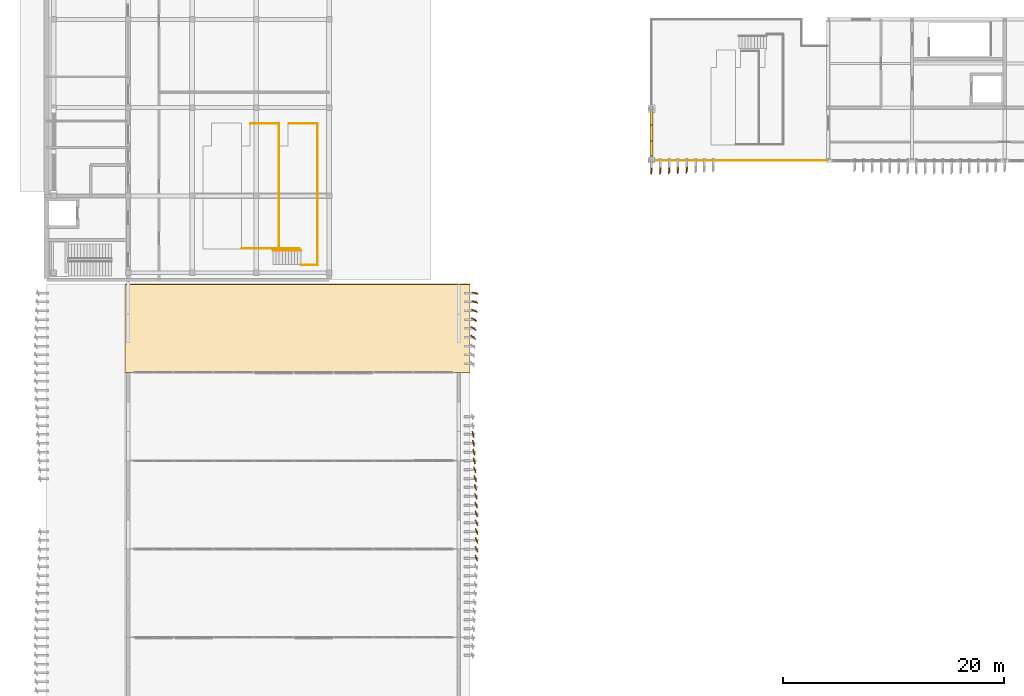
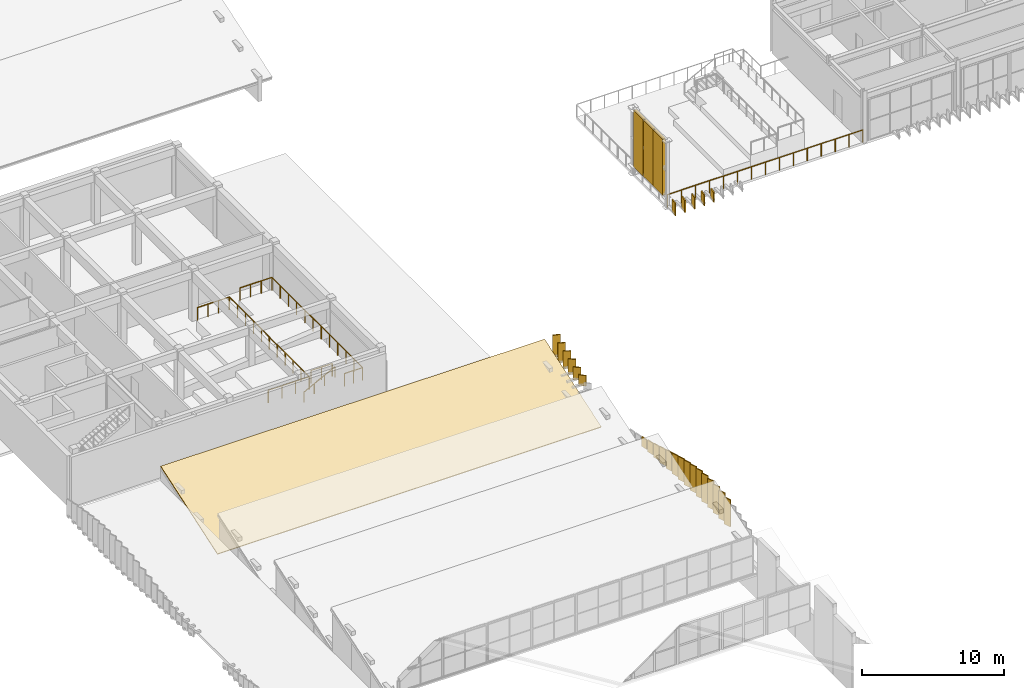
# One storey, part 39 of 45: 30 coverings, 9 railings.
"""IFC4 building model written with IfcOpenShell, lengths in metres."""

from ifc_helpers import new_model, si_unit, direction, frame, origin, origin_2d, place, context, subcontext, project, spatial, polyline, rectangle, circle, outline, extrude, material, layer, layer_set, type_object, element, save


model = new_model("IFC4")

# Units and contexts
model_context = context("Model", 3, precision=1e-05, world=origin(), true_north=direction((0.0, 1.0)))
body_context = subcontext(model_context, "Body", "Model", "MODEL_VIEW")
ifc_project = project(units=[si_unit("LENGTHUNIT", "METRE"), si_unit("AREAUNIT", "SQUARE_METRE"), si_unit("VOLUMEUNIT", "CUBIC_METRE"), si_unit("PLANEANGLEUNIT", "RADIAN"), si_unit("MASSUNIT", "GRAM", prefix="KILO")], contexts=[model_context])

# Site, building, storey
site_placement = place(None, origin())
site = spatial("IfcSite", under=ifc_project, at=site_placement, CompositionType="ELEMENT")
building_placement = place(site_placement, origin())
building = spatial("IfcBuilding", under=site, at=building_placement, Name="Cinchona Park Media Centre", CompositionType="ELEMENT")
storey_placement = place(building_placement, frame((0.0, 0.0, 20.39990234375)))
storey = spatial("IfcBuildingStorey", under=building, at=storey_placement, Name="L04", CompositionType="ELEMENT", Elevation=20.39990234375)

# Coverings
ifc_material_1 = material(Name="Anodised Storm-Resistant Aluminium Fin", Category="aluminium")
ifc_layer_1 = layer(ifc_material_1, 0.090087890625)
ifc_layer_set_1 = layer_set([ifc_layer_1], Name="Anodised Storm-Resistant Aluminium Fin")
covering_type_1 = type_object("IfcCoveringType", Name="CLADDING-FIN01", PredefinedType="CLADDING", material=ifc_layer_set_1)
covering_1_placement = place(storey_placement, frame((46.931884765625, 38.800048828125, -0.00048828125), z_axis=(0.0, 0.0, 1.0), x_axis=(-0.345298198999, 0.93849302276, 0.0)))
element("IfcCovering", 1, at=covering_1_placement, inside=storey, type_object=covering_type_1, Name="Twisting Vertical Facade Fin L04", PredefinedType="CLADDING", context=body_context, shape_type="SweptSolid", body=[
    extrude(rectangle(XDim=0.56005859375, YDim=0.090087890625, at=origin_2d()), origin(), (0.0, 0.0, 1.0), 2.3291015625),
])
covering_2_placement = place(storey_placement, frame((46.947998046875, 39.60009765625, 0.0), z_axis=(0.0, 0.0, 1.0), x_axis=(-0.352984997999, 0.935628981588, 0.0)))
element("IfcCovering", 2, at=covering_2_placement, inside=storey, type_object=covering_type_1, Name="Twisting Vertical Facade Fin L04", PredefinedType="CLADDING", context=body_context, shape_type="SweptSolid", body=[
    extrude(rectangle(XDim=0.56005859375, YDim=0.090087890625, at=origin_2d()), origin(), (0.0, 0.0, 1.0), 2.4140625),
])
covering_3_placement = place(storey_placement, frame((46.9580078125, 40.39990234375, 0.000244140625), z_axis=(0.0, 0.0, 1.0), x_axis=(-0.35739011009, 0.933955196575, 0.0)))
element("IfcCovering", 3, at=covering_3_placement, inside=storey, type_object=covering_type_1, Name="Twisting Vertical Facade Fin L04", PredefinedType="CLADDING", context=body_context, shape_type="SweptSolid", body=[
    extrude(rectangle(XDim=0.56005859375, YDim=0.090087890625, at=origin_2d()), origin(), (0.0, 0.0, 1.0), 2.4619140625),
])
covering_4_placement = place(storey_placement, frame((46.9599609375, 41.199951171875, 0.00048828125), z_axis=(0.0, 0.0, 1.0), x_axis=(-0.358205003565, 0.933642959284, 0.0)))
element("IfcCovering", 4, at=covering_4_placement, inside=storey, type_object=covering_type_1, Name="Twisting Vertical Facade Fin L04", PredefinedType="CLADDING", context=body_context, shape_type="SweptSolid", body=[
    extrude(rectangle(XDim=0.56005859375, YDim=0.090087890625, at=origin_2d()), origin(), (0.0, 0.0, 1.0), 2.470947265625),
])
covering_5_placement = place(storey_placement, frame((46.9541015625, 42.0, 0.000244140625), z_axis=(0.0, 0.0, 1.0), x_axis=(-0.355596387288, 0.93463961469, 0.0)))
element("IfcCovering", 5, at=covering_5_placement, inside=storey, type_object=covering_type_1, Name="Twisting Vertical Facade Fin L04", PredefinedType="CLADDING", context=body_context, shape_type="SweptSolid", body=[
    extrude(rectangle(XDim=0.56005859375, YDim=0.090087890625, at=origin_2d()), origin(), (0.0, 0.0, 1.0), 2.44189453125),
])
covering_6_placement = place(storey_placement, frame((46.94091796875, 42.800048828125, 0.0), z_axis=(0.0, 0.0, 1.0), x_axis=(-0.349553375421, 0.936916451842, 0.0)))
element("IfcCovering", 6, at=covering_6_placement, inside=storey, type_object=covering_type_1, Name="Twisting Vertical Facade Fin L04", PredefinedType="CLADDING", context=body_context, shape_type="SweptSolid", body=[
    extrude(rectangle(XDim=0.56005859375, YDim=0.090087890625, at=origin_2d()), origin(), (0.0, 0.0, 1.0), 2.3759765625),
])
covering_7_placement = place(storey_placement, frame((46.9208984375, 43.60009765625, 0.000244140625), z_axis=(0.0, 0.0, 1.0), x_axis=(-0.340215433792, 0.940347520127, 0.0)))
element("IfcCovering", 7, at=covering_7_placement, inside=storey, type_object=covering_type_1, Name="Twisting Vertical Facade Fin L04", PredefinedType="CLADDING", context=body_context, shape_type="SweptSolid", body=[
    extrude(rectangle(XDim=0.56005859375, YDim=0.090087890625, at=origin_2d()), origin(), (0.0, 0.0, 1.0), 2.27392578125),
])
covering_8_placement = place(storey_placement, frame((46.89501953125, 44.39990234375, 0.0), z_axis=(0.0, 0.0, 1.0), x_axis=(-0.327877517976, 0.944720240709, 0.0)))
element("IfcCovering", 8, at=covering_8_placement, inside=storey, type_object=covering_type_1, Name="Twisting Vertical Facade Fin L04", PredefinedType="CLADDING", context=body_context, shape_type="SweptSolid", body=[
    extrude(rectangle(XDim=0.56005859375, YDim=0.090087890625, at=origin_2d()), origin(), (0.0, 0.0, 1.0), 2.139892578125),
])
covering_9_placement = place(storey_placement, frame((46.864013671875, 45.199951171875, 0.0), z_axis=(0.0, 0.0, 1.0), x_axis=(-0.312998047948, 0.949753769132, 0.0)))
element("IfcCovering", 9, at=covering_9_placement, inside=storey, type_object=covering_type_1, Name="Twisting Vertical Facade Fin L04", PredefinedType="CLADDING", context=body_context, shape_type="SweptSolid", body=[
    extrude(rectangle(XDim=0.56005859375, YDim=0.090087890625, at=origin_2d()), origin(), (0.0, 0.0, 1.0), 1.97998046875),
])
covering_10_placement = place(storey_placement, frame((46.827880859375, 46.0, 0.00048828125), z_axis=(0.0, 0.0, 1.0), x_axis=(-0.296208192067, 0.955123398809, 0.0)))
element("IfcCovering", 10, at=covering_10_placement, inside=storey, type_object=covering_type_1, Name="Twisting Vertical Facade Fin L04", PredefinedType="CLADDING", context=body_context, shape_type="SweptSolid", body=[
    extrude(rectangle(XDim=0.56005859375, YDim=0.090087890625, at=origin_2d()), origin(), (0.0, 0.0, 1.0), 1.799072265625),
])
covering_11_placement = place(storey_placement, frame((46.7900390625, 46.800048828125, -0.00048828125), z_axis=(0.0, 0.0, 1.0), x_axis=(-0.277985336053, 0.960585317887, 0.0)))
element("IfcCovering", 11, at=covering_11_placement, inside=storey, type_object=covering_type_1, Name="Twisting Vertical Facade Fin L04", PredefinedType="CLADDING", context=body_context, shape_type="SweptSolid", body=[
    extrude(rectangle(XDim=0.56005859375, YDim=0.090087890625, at=origin_2d()), origin(), (0.0, 0.0, 1.0), 1.60302734375),
])
covering_12_placement = place(storey_placement, frame((46.75, 47.60009765625, 0.000244140625), z_axis=(0.0, 0.0, 1.0), x_axis=(-0.258819045103, 0.965925826289, 0.0)))
element("IfcCovering", 12, at=covering_12_placement, inside=storey, type_object=covering_type_1, Name="Twisting Vertical Facade Fin L04", PredefinedType="CLADDING", context=body_context, shape_type="SweptSolid", body=[
    extrude(rectangle(XDim=0.56005859375, YDim=0.090087890625, at=origin_2d()), origin(), (0.0, 0.0, 1.0), 1.39990234375),
])
covering_13_placement = place(storey_placement, frame((46.7099609375, 48.39990234375, -0.00048828125), z_axis=(0.0, 0.0, 1.0), x_axis=(-0.239550296042, 0.970883955819, 0.0)))
element("IfcCovering", 13, at=covering_13_placement, inside=storey, type_object=covering_type_1, Name="Twisting Vertical Facade Fin L04", PredefinedType="CLADDING", context=body_context, shape_type="SweptSolid", body=[
    extrude(rectangle(XDim=0.56005859375, YDim=0.090087890625, at=origin_2d()), origin(), (0.0, 0.0, 1.0), 1.197021484375),
])
covering_14_placement = place(storey_placement, frame((46.672119140625, 49.199951171875, 0.00048828125), z_axis=(0.0, 0.0, 1.0), x_axis=(-0.221037880265, 0.975265223151, 0.0)))
element("IfcCovering", 14, at=covering_14_placement, inside=storey, type_object=covering_type_1, Name="Twisting Vertical Facade Fin L04", PredefinedType="CLADDING", context=body_context, shape_type="SweptSolid", body=[
    extrude(rectangle(XDim=0.56005859375, YDim=0.090087890625, at=origin_2d()), origin(), (0.0, 0.0, 1.0), 1.0009765625),
])
covering_15_placement = place(storey_placement, frame((46.635986328125, 50.0, 0.0), z_axis=(0.0, 0.0, 1.0), x_axis=(-0.203812623708, 0.979009915383, 0.0)))
element("IfcCovering", 15, at=covering_15_placement, inside=storey, type_object=covering_type_1, Name="Twisting Vertical Facade Fin L04", PredefinedType="CLADDING", context=body_context, shape_type="SweptSolid", body=[
    extrude(rectangle(XDim=0.56005859375, YDim=0.090087890625, at=origin_2d()), origin(), (0.0, 0.0, 1.0), 0.820068359375),
])
covering_16_placement = place(storey_placement, frame((46.654052734375, 58.800048828125, 0.00048828125), z_axis=(0.0, 0.0, 1.0), x_axis=(-0.749418134297, 0.662097017051, 0.0)))
element("IfcCovering", 16, at=covering_16_placement, inside=storey, type_object=covering_type_1, Name="Twisting Vertical Facade Fin L04", PredefinedType="CLADDING", context=body_context, shape_type="SweptSolid", body=[
    extrude(rectangle(XDim=0.56005859375, YDim=0.090087890625, at=origin_2d()), origin(), (0.0, 0.0, 1.0), 0.908935546875),
])
covering_17_placement = place(storey_placement, frame((46.69091796875, 59.60009765625, 0.0), z_axis=(0.0, 0.0, 1.0), x_axis=(-0.804271929332, 0.594261443885, 0.0)))
element("IfcCovering", 17, at=covering_17_placement, inside=storey, type_object=covering_type_1, Name="Twisting Vertical Facade Fin L04", PredefinedType="CLADDING", context=body_context, shape_type="SweptSolid", body=[
    extrude(rectangle(XDim=0.56005859375, YDim=0.090087890625, at=origin_2d()), origin(), (0.0, 0.0, 1.0), 1.097900390625),
])
covering_18_placement = place(storey_placement, frame((46.72998046875, 60.39990234375, 0.0), z_axis=(0.0, 0.0, 1.0), x_axis=(-0.852913627072, 0.522052051767, 0.0)))
element("IfcCovering", 18, at=covering_18_placement, inside=storey, type_object=covering_type_1, Name="Twisting Vertical Facade Fin L04", PredefinedType="CLADDING", context=body_context, shape_type="SweptSolid", body=[
    extrude(rectangle(XDim=0.56005859375, YDim=0.090087890625, at=origin_2d()), origin(), (0.0, 0.0, 1.0), 1.298095703125),
])
covering_19_placement = place(storey_placement, frame((46.77001953125, 61.199951171875, 0.0), z_axis=(0.0, 0.0, 1.0), x_axis=(-0.895090059495, 0.445885394908, 0.0)))
element("IfcCovering", 19, at=covering_19_placement, inside=storey, type_object=covering_type_1, Name="Twisting Vertical Facade Fin L04", PredefinedType="CLADDING", context=body_context, shape_type="SweptSolid", body=[
    extrude(rectangle(XDim=0.56005859375, YDim=0.090087890625, at=origin_2d()), origin(), (0.0, 0.0, 1.0), 1.501953125),
])
covering_20_placement = place(storey_placement, frame((46.80908203125, 62.0, 0.0), z_axis=(0.0, 0.0, 1.0), x_axis=(-0.930481520342, 0.366338832643, 0.0)))
element("IfcCovering", 20, at=covering_20_placement, inside=storey, type_object=covering_type_1, Name="Twisting Vertical Facade Fin L04", PredefinedType="CLADDING", context=body_context, shape_type="SweptSolid", body=[
    extrude(rectangle(XDim=0.56005859375, YDim=0.090087890625, at=origin_2d()), origin(), (0.0, 0.0, 1.0), 1.701904296875),
])
covering_21_placement = place(storey_placement, frame((46.845947265625, 62.800048828125, 0.00048828125), z_axis=(0.0, 0.0, 1.0), x_axis=(-0.958819734868, 0.284015344704, 0.0)))
element("IfcCovering", 21, at=covering_21_placement, inside=storey, type_object=covering_type_1, Name="Twisting Vertical Facade Fin L04", PredefinedType="CLADDING", context=body_context, shape_type="SweptSolid", body=[
    extrude(rectangle(XDim=0.56005859375, YDim=0.090087890625, at=origin_2d()), origin(), (0.0, 0.0, 1.0), 1.89111328125),
])
covering_22_placement = place(storey_placement, frame((62.800048828125, 73.845947265625, 0.0), z_axis=(0.0, 0.0, 1.0), x_axis=(0.107999355706, 0.994150963972, 0.0)))
element("IfcCovering", 22, at=covering_22_placement, inside=storey, type_object=covering_type_1, Name="Twisting Vertical Facade Fin L04", PredefinedType="CLADDING", context=body_context, shape_type="SweptSolid", body=[
    extrude(rectangle(XDim=0.56005859375, YDim=0.090087890625, at=origin_2d()), origin(), (0.0, 0.0, 1.0), 1.083984375),
])
covering_23_placement = place(storey_placement, frame((63.60009765625, 73.85888671875, 0.0), z_axis=(0.0, 0.0, 1.0), x_axis=(0.115457263478, 0.993312448482, 0.0)))
element("IfcCovering", 23, at=covering_23_placement, inside=storey, type_object=covering_type_1, Name="Twisting Vertical Facade Fin L04", PredefinedType="CLADDING", context=body_context, shape_type="SweptSolid", body=[
    extrude(rectangle(XDim=0.56005859375, YDim=0.090087890625, at=origin_2d()), origin(), (0.0, 0.0, 1.0), 1.050048828125),
])
covering_24_placement = place(storey_placement, frame((64.39990234375, 73.87890625, 0.0), z_axis=(0.0, 0.0, 1.0), x_axis=(0.127064608601, 0.99189444259, 0.0)))
element("IfcCovering", 24, at=covering_24_placement, inside=storey, type_object=covering_type_1, Name="Twisting Vertical Facade Fin L04", PredefinedType="CLADDING", context=body_context, shape_type="SweptSolid", body=[
    extrude(rectangle(XDim=0.56005859375, YDim=0.090087890625, at=origin_2d()), origin(), (0.0, 0.0, 1.0), 0.998046875),
])
covering_25_placement = place(storey_placement, frame((65.199951171875, 73.905029296875, 0.0), z_axis=(0.0, 0.0, 1.0), x_axis=(0.142110668555, 0.989850775563, 0.0)))
element("IfcCovering", 25, at=covering_25_placement, inside=storey, type_object=covering_type_1, Name="Twisting Vertical Facade Fin L04", PredefinedType="CLADDING", context=body_context, shape_type="SweptSolid", body=[
    extrude(rectangle(XDim=0.56005859375, YDim=0.090087890625, at=origin_2d()), origin(), (0.0, 0.0, 1.0), 0.929931640625),
])
covering_26_placement = place(storey_placement, frame((66.0, 73.93603515625, -0.00048828125), z_axis=(0.0, 0.0, 1.0), x_axis=(0.160225753504, 0.987080395872, 0.0)))
element("IfcCovering", 26, at=covering_26_placement, inside=storey, type_object=covering_type_1, Name="Twisting Vertical Facade Fin L04", PredefinedType="CLADDING", context=body_context, shape_type="SweptSolid", body=[
    extrude(rectangle(XDim=0.56005859375, YDim=0.090087890625, at=origin_2d()), origin(), (0.0, 0.0, 1.0), 0.846923828125),
])
ifc_material_2 = material(Name="Dark Micro-Perforated LED Projection Screen Matrix", Category="aluminium")
ifc_layer_2 = layer(ifc_material_2, 0.239990234375)
ifc_layer_set_2 = layer_set([ifc_layer_2], Name="Dark Micro-Perforated LED Projection Screen Matrix")
covering_type_2 = type_object("IfcCoveringType", Name="CLADDING-SCR01", PredefinedType="CLADDING", material=ifc_layer_set_2)
for number, where, z_axis, x_axis, name in (
    (27, (62.800048828125, 75.89990234375, 0.775146484375), (0.0, 0.0, 1.0), (0.0, 1.0, 0.0), "Rooftop Open-Air Cinema Screen Matrix 1"),
    (28, (62.800048828125, 77.300048828125, 0.775146484375), (0.0, 0.0, 1.0), (0.0, 1.0, 0.0), "Rooftop Open-Air Cinema Screen Matrix 2"),
    (29, (62.800048828125, 78.699951171875, 0.775146484375), (0.0, 0.0, 1.0), (0.0, 1.0, 0.0), "Rooftop Open-Air Cinema Screen Matrix 3"),
):
    element("IfcCovering", number, at=place(storey_placement, frame(where, z_axis=z_axis, x_axis=x_axis)), inside=storey, type_object=covering_type_2, Name=name, PredefinedType="CLADDING", context=body_context, shape_type="SweptSolid", body=[
        extrude(rectangle(XDim=1.340087890625, YDim=0.239990234375, at=origin_2d()), origin(), (0.0, 0.0, 1.0), 4.85009765625),
    ])
ifc_material_3 = material(Name="Standing Seam Insulated Steel Roofing", Category="steel")
ifc_layer_3 = layer(ifc_material_3, 0.080078125)
ifc_layer_set_3 = layer_set([ifc_layer_3], Name="Standing Seam Insulated Steel Roofing")
covering_type_3 = type_object("IfcCoveringType", Name="COVERING-ROOF01", PredefinedType="ROOFING", material=ifc_layer_set_3)
covering_27_placement = place(storey_placement, frame((15.10009765625, 55.60009765625, -1.5029296875), z_axis=(0.0, -0.319773452474, 0.947494031165), x_axis=(1.0, 0.0, 0.0)))
element("IfcCovering", 30, at=covering_27_placement, inside=storey, type_object=covering_type_3, Name="Standing Seam Roof Covering V1 Bay 7", PredefinedType="ROOFING", context=body_context, shape_type="SweptSolid", body=[
    extrude(outline(polyline([(0.0, 0.0), (31.25, 0.0), (31.25, 8.443324957059819), (0.0, 8.443324957059819), (0.0, 0.0)])), origin(), (0.0, 0.0, -1.0), 0.080078125),
])

# Railings
ifc_material_4 = material(Name="Galvanised Painted Steel Balustrade", Category="steel")
railing_type_1 = type_object("IfcRailingType", Name="RAILING-GR01", PredefinedType="BALUSTRADE", material=ifc_material_4)
railing_1_placement = place(storey_placement, frame((78.748046875, 74.800048828125, 0.0)))
element("IfcRailing", 31, at=railing_1_placement, inside=storey, type_object=railing_type_1, Name="Rooftop Amphitheatre Balustrade GR01 116", PredefinedType="BALUSTRADE", context=body_context, shape_type="SweptSolid", body=[
    extrude(circle(Radius=0.02392578125, at=origin_2d()), frame((0.0, 0.0, 1.076171875), z_axis=(-1.0, 0.0, 0.0), x_axis=(0.0, -1.0, 0.0)), (0.0, 0.0, 1.0), 15.916015625),
    extrude(circle(Radius=0.02099609375, at=origin_2d()), origin(), (0.0, 0.0, 1.0), 1.052001953125),
    extrude(circle(Radius=0.02099609375, at=origin_2d()), frame((-1.136962890625, 0.0, 0.0)), (0.0, 0.0, 1.0), 1.052001953125),
    extrude(circle(Radius=0.02099609375, at=origin_2d()), frame((-2.273681640625, 0.0, 0.0)), (0.0, 0.0, 1.0), 1.052001953125),
    extrude(circle(Radius=0.02099609375, at=origin_2d()), frame((-3.41064453125, 0.0, 0.0)), (0.0, 0.0, 1.0), 1.052001953125),
    extrude(circle(Radius=0.02099609375, at=origin_2d()), frame((-4.54736328125, 0.0, 0.0)), (0.0, 0.0, 1.0), 1.052001953125),
    extrude(circle(Radius=0.02099609375, at=origin_2d()), frame((-5.684326171875, 0.0, 0.0)), (0.0, 0.0, 1.0), 1.052001953125),
    extrude(circle(Radius=0.02099609375, at=origin_2d()), frame((-6.821044921875, 0.0, 0.0)), (0.0, 0.0, 1.0), 1.052001953125),
    extrude(circle(Radius=0.02099609375, at=origin_2d()), frame((-7.9580078125, 0.0, 0.0)), (0.0, 0.0, 1.0), 1.052001953125),
    extrude(circle(Radius=0.02099609375, at=origin_2d()), frame((-9.094970703125, 0.0, 0.0)), (0.0, 0.0, 1.0), 1.052001953125),
    extrude(circle(Radius=0.02099609375, at=origin_2d()), frame((-10.231689453125, 0.0, 0.0)), (0.0, 0.0, 1.0), 1.052001953125),
    extrude(circle(Radius=0.02099609375, at=origin_2d()), frame((-11.36865234375, 0.0, 0.0)), (0.0, 0.0, 1.0), 1.052001953125),
    extrude(circle(Radius=0.02099609375, at=origin_2d()), frame((-12.50537109375, 0.0, 0.0)), (0.0, 0.0, 1.0), 1.052001953125),
    extrude(circle(Radius=0.02099609375, at=origin_2d()), frame((-13.642333984375, 0.0, 0.0)), (0.0, 0.0, 1.0), 1.052001953125),
    extrude(circle(Radius=0.02099609375, at=origin_2d()), frame((-14.779052734375, 0.0, 0.0)), (0.0, 0.0, 1.0), 1.052001953125),
    extrude(circle(Radius=0.02099609375, at=origin_2d()), frame((-15.916015625, 0.0, 0.0)), (0.0, 0.0, 1.0), 1.052001953125),
])
ifc_material_5 = material(Name="Painted Steel Stairwell Guardrail", Category="steel")
railing_type_2 = type_object("IfcRailingType", Name="RAILING-GR02", PredefinedType="GUARDRAIL", material=ifc_material_5)
railing_2_placement = place(storey_placement, frame((29.073974609375, 66.8798828125, 0.960205078125)))
element("IfcRailing", 32, at=railing_2_placement, inside=storey, type_object=railing_type_2, Name="Auditorium Tier Guardrail GR02 165", PredefinedType="GUARDRAIL", context=body_context, shape_type="SweptSolid", body=[
    extrude(circle(Radius=0.02392578125, at=origin_2d()), frame((0.0, 0.0, 1.076171875), z_axis=(0.0, 1.0, 0.0), x_axis=(-1.0, 0.0, 0.0)), (0.0, 0.0, 1.0), 11.240234375),
    extrude(circle(Radius=0.02099609375, at=origin_2d()), origin(), (0.0, 0.0, 1.0), 1.052001953125),
    extrude(circle(Radius=0.02099609375, at=origin_2d()), frame((0.0, 1.1240234375, 0.0)), (0.0, 0.0, 1.0), 1.052001953125),
    extrude(circle(Radius=0.02099609375, at=origin_2d()), frame((0.0, 2.248046875, 0.0)), (0.0, 0.0, 1.0), 1.052001953125),
    extrude(circle(Radius=0.02099609375, at=origin_2d()), frame((0.0, 3.3720703125, 0.0)), (0.0, 0.0, 1.0), 1.052001953125),
    extrude(circle(Radius=0.02099609375, at=origin_2d()), frame((0.0, 4.49609375, 0.0)), (0.0, 0.0, 1.0), 1.052001953125),
    extrude(circle(Radius=0.02099609375, at=origin_2d()), frame((0.0, 5.6201171875, 0.0)), (0.0, 0.0, 1.0), 1.052001953125),
    extrude(circle(Radius=0.02099609375, at=origin_2d()), frame((0.0, 6.744140625, 0.0)), (0.0, 0.0, 1.0), 1.052001953125),
    extrude(circle(Radius=0.02099609375, at=origin_2d()), frame((0.0, 7.8681640625, 0.0)), (0.0, 0.0, 1.0), 1.052001953125),
    extrude(circle(Radius=0.02099609375, at=origin_2d()), frame((0.0, 8.9921875, 0.0)), (0.0, 0.0, 1.0), 1.052001953125),
    extrude(circle(Radius=0.02099609375, at=origin_2d()), frame((0.0, 10.1162109375, 0.0)), (0.0, 0.0, 1.0), 1.052001953125),
    extrude(circle(Radius=0.02099609375, at=origin_2d()), frame((0.0, 11.240234375, 0.0)), (0.0, 0.0, 1.0), 1.052001953125),
])
railing_3_placement = place(storey_placement, frame((25.72705078125, 66.85009765625, 0.960205078125)))
element("IfcRailing", 33, at=railing_3_placement, inside=storey, type_object=railing_type_2, Name="Auditorium Tier Side Guardrail GR02 166", PredefinedType="GUARDRAIL", context=body_context, shape_type="SweptSolid", body=[
    extrude(circle(Radius=0.02392578125, at=origin_2d()), frame((0.0, 0.0, 1.076171875), z_axis=(1.0, 0.0, 0.0), x_axis=(0.0, 1.0, 0.0)), (0.0, 0.0, 1.0), 3.346923828125),
    extrude(circle(Radius=0.02099609375, at=origin_2d()), origin(), (0.0, 0.0, 1.0), 1.052001953125),
    extrude(circle(Radius=0.02099609375, at=origin_2d()), frame((1.11572265625, 0.0, 0.0)), (0.0, 0.0, 1.0), 1.052001953125),
    extrude(circle(Radius=0.02099609375, at=origin_2d()), frame((2.231201171875, 0.0, 0.0)), (0.0, 0.0, 1.0), 1.052001953125),
    extrude(circle(Radius=0.02099609375, at=origin_2d()), frame((3.346923828125, 0.0, 0.0)), (0.0, 0.0, 1.0), 1.052001953125),
])
railing_4_placement = place(storey_placement, frame((29.073974609375, 78.14990234375, 0.960205078125)))
element("IfcRailing", 34, at=railing_4_placement, inside=storey, type_object=railing_type_2, Name="Auditorium Tier Side Guardrail GR02 167", PredefinedType="GUARDRAIL", context=body_context, shape_type="SweptSolid", body=[
    extrude(circle(Radius=0.02392578125, at=origin_2d()), frame((0.0, 0.0, 1.076171875), z_axis=(-1.0, 0.0, 0.0), x_axis=(0.0, -1.0, 0.0)), (0.0, 0.0, 1.0), 2.583984375),
    extrude(circle(Radius=0.02099609375, at=origin_2d()), origin(), (0.0, 0.0, 1.0), 1.052001953125),
    extrude(circle(Radius=0.02099609375, at=origin_2d()), frame((-0.861328125, 0.0, 0.0)), (0.0, 0.0, 1.0), 1.052001953125),
    extrude(circle(Radius=0.02099609375, at=origin_2d()), frame((-1.72265625, 0.0, 0.0)), (0.0, 0.0, 1.0), 1.052001953125),
    extrude(circle(Radius=0.02099609375, at=origin_2d()), frame((-2.583984375, 0.0, 0.0)), (0.0, 0.0, 1.0), 1.052001953125),
])
railing_5_placement = place(storey_placement, frame((32.541015625, 65.3798828125, 1.440185546875)))
element("IfcRailing", 35, at=railing_5_placement, inside=storey, type_object=railing_type_2, Name="Auditorium Tier Guardrail GR02 168", PredefinedType="GUARDRAIL", context=body_context, shape_type="SweptSolid", body=[
    extrude(circle(Radius=0.02392578125, at=origin_2d()), frame((0.0, 0.0, 1.076171875), z_axis=(0.0, 1.0, 0.0), x_axis=(-1.0, 0.0, 0.0)), (0.0, 0.0, 1.0), 12.740234375),
    extrude(circle(Radius=0.02099609375, at=origin_2d()), origin(), (0.0, 0.0, 1.0), 1.052001953125),
    extrude(circle(Radius=0.02099609375, at=origin_2d()), frame((0.0, 1.158203125, 0.0)), (0.0, 0.0, 1.0), 1.052001953125),
    extrude(circle(Radius=0.02099609375, at=origin_2d()), frame((0.0, 2.31640625, 0.0)), (0.0, 0.0, 1.0), 1.052001953125),
    extrude(circle(Radius=0.02099609375, at=origin_2d()), frame((0.0, 3.474609375, 0.0)), (0.0, 0.0, 1.0), 1.052001953125),
    extrude(circle(Radius=0.02099609375, at=origin_2d()), frame((0.0, 4.6328125, 0.0)), (0.0, 0.0, 1.0), 1.052001953125),
    extrude(circle(Radius=0.02099609375, at=origin_2d()), frame((0.0, 5.791015625, 0.0)), (0.0, 0.0, 1.0), 1.052001953125),
    extrude(circle(Radius=0.02099609375, at=origin_2d()), frame((0.0, 6.94921875, 0.0)), (0.0, 0.0, 1.0), 1.052001953125),
    extrude(circle(Radius=0.02099609375, at=origin_2d()), frame((0.0, 8.107421875, 0.0)), (0.0, 0.0, 1.0), 1.052001953125),
    extrude(circle(Radius=0.02099609375, at=origin_2d()), frame((0.0, 9.265625, 0.0)), (0.0, 0.0, 1.0), 1.052001953125),
    extrude(circle(Radius=0.02099609375, at=origin_2d()), frame((0.0, 10.423828125, 0.0)), (0.0, 0.0, 1.0), 1.052001953125),
    extrude(circle(Radius=0.02099609375, at=origin_2d()), frame((0.0, 11.58203125, 0.0)), (0.0, 0.0, 1.0), 1.052001953125),
    extrude(circle(Radius=0.02099609375, at=origin_2d()), frame((0.0, 12.740234375, 0.0)), (0.0, 0.0, 1.0), 1.052001953125),
])
railing_6_placement = place(storey_placement, frame((29.194091796875, 66.85009765625, 1.440185546875)))
element("IfcRailing", 36, at=railing_6_placement, inside=storey, type_object=railing_type_2, Name="Auditorium Tier Side Guardrail GR02 169", PredefinedType="GUARDRAIL", context=body_context, shape_type="SweptSolid", body=[
    extrude(circle(Radius=0.02392578125, at=origin_2d()), frame((0.0, 0.0, 1.076171875), z_axis=(1.0, 0.0, 0.0), x_axis=(0.0, 1.0, 0.0)), (0.0, 0.0, 1.0), 1.746826171875),
    extrude(circle(Radius=0.02099609375, at=origin_2d()), origin(), (0.0, 0.0, 1.0), 1.052001953125),
    extrude(circle(Radius=0.02099609375, at=origin_2d()), frame((0.87353515625, 0.0, 0.0)), (0.0, 0.0, 1.0), 1.052001953125),
    extrude(circle(Radius=0.02099609375, at=origin_2d()), frame((1.746826171875, 0.0, 0.0)), (0.0, 0.0, 1.0), 1.052001953125),
])
railing_7_placement = place(storey_placement, frame((31.06103515625, 65.35009765625, 1.440185546875)))
element("IfcRailing", 37, at=railing_7_placement, inside=storey, type_object=railing_type_2, Name="Auditorium Tier Side Guardrail GR02 170", PredefinedType="GUARDRAIL", context=body_context, shape_type="SweptSolid", body=[
    extrude(circle(Radius=0.02392578125, at=origin_2d()), frame((0.0, 0.0, 1.076171875), z_axis=(1.0, 0.0, 0.0), x_axis=(0.0, 1.0, 0.0)), (0.0, 0.0, 1.0), 1.47998046875),
    extrude(circle(Radius=0.02099609375, at=origin_2d()), origin(), (0.0, 0.0, 1.0), 1.052001953125),
    extrude(circle(Radius=0.02099609375, at=origin_2d()), frame((0.739990234375, 0.0, 0.0)), (0.0, 0.0, 1.0), 1.052001953125),
    extrude(circle(Radius=0.02099609375, at=origin_2d()), frame((1.47998046875, 0.0, 0.0)), (0.0, 0.0, 1.0), 1.052001953125),
])
railing_8_placement = place(storey_placement, frame((32.541015625, 78.14990234375, 1.440185546875)))
element("IfcRailing", 38, at=railing_8_placement, inside=storey, type_object=railing_type_2, Name="Auditorium Tier Side Guardrail GR02 171", PredefinedType="GUARDRAIL", context=body_context, shape_type="SweptSolid", body=[
    extrude(circle(Radius=0.02392578125, at=origin_2d()), frame((0.0, 0.0, 1.076171875), z_axis=(-1.0, 0.0, 0.0), x_axis=(0.0, -1.0, 0.0)), (0.0, 0.0, 1.0), 2.583984375),
    extrude(circle(Radius=0.02099609375, at=origin_2d()), origin(), (0.0, 0.0, 1.0), 1.052001953125),
    extrude(circle(Radius=0.02099609375, at=origin_2d()), frame((-0.861328125, 0.0, 0.0)), (0.0, 0.0, 1.0), 1.052001953125),
    extrude(circle(Radius=0.02099609375, at=origin_2d()), frame((-1.72265625, 0.0, 0.0)), (0.0, 0.0, 1.0), 1.052001953125),
    extrude(circle(Radius=0.02099609375, at=origin_2d()), frame((-2.583984375, 0.0, 0.0)), (0.0, 0.0, 1.0), 1.052001953125),
])
ifc_material_6 = material(Name="Brushed Stainless Steel Handrail", Category="steel")
railing_type_3 = type_object("IfcRailingType", Name="RAILING-HR01", PredefinedType="HANDRAIL", material=ifc_material_6)
railing_9_placement = place(storey_placement, frame((28.52001953125, 66.659912109375, 0.14404296875)))
element("IfcRailing", 39, at=railing_9_placement, inside=storey, type_object=railing_type_3, Name="Handrail HR01 SVM6", PredefinedType="HANDRAIL", context=body_context, shape_type="SweptSolid", body=[
    extrude(circle(Radius=0.02392578125, at=origin_2d()), frame((0.0, 0.0, 0.8759765625), z_axis=(0.889268780088, 0.0, 0.4573849984), x_axis=(0.0, 1.0, 0.0)), (0.0, 0.0, 1.0), 2.833740234375),
    extrude(circle(Radius=0.02099609375, at=origin_2d()), origin(), (0.0, 0.0, 1.0), 0.851806640625),
    extrude(circle(Radius=0.02099609375, at=origin_2d()), frame((0.840087890625, 0.0, 0.43212890625)), (0.0, 0.0, 1.0), 0.851806640625),
    extrude(circle(Radius=0.02099609375, at=origin_2d()), frame((1.679931640625, 0.0, 0.864013671875)), (0.0, 0.0, 1.0), 0.851806640625),
    extrude(circle(Radius=0.02099609375, at=origin_2d()), frame((2.52001953125, 0.0, 1.296142578125)), (0.0, 0.0, 1.0), 0.851806640625),
])

save(model, "model.ifc")
